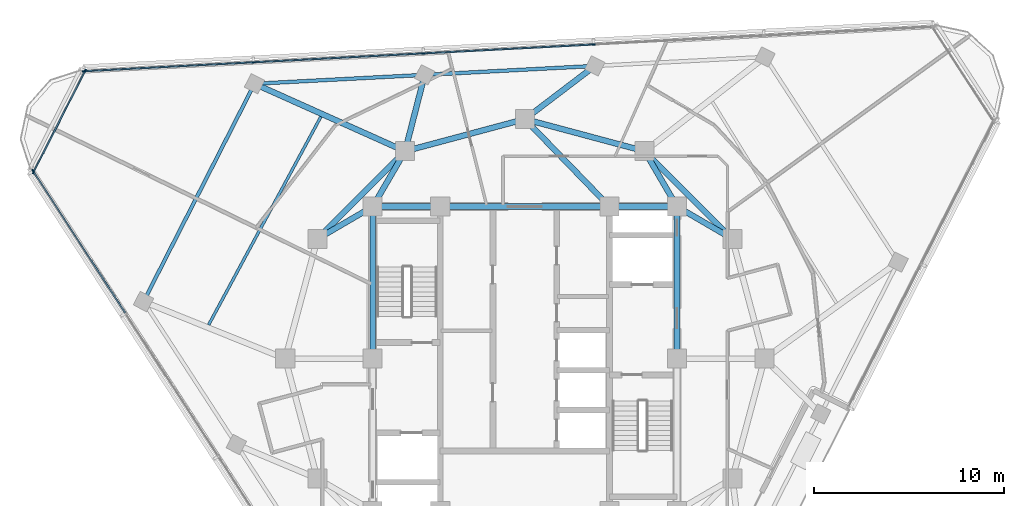
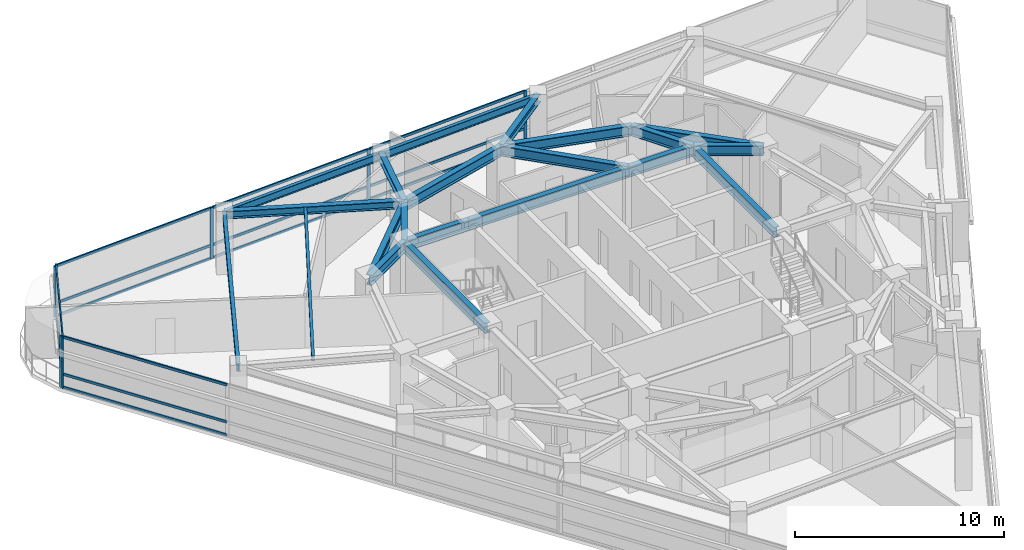
# One storey, part 5 of 15: 22 members, 21 beams, 3 elements without a shape of their own.
"""IFC4 building model written with IfcOpenShell, lengths in metres."""

from ifc_helpers import new_model, si_unit, direction, frame, origin, origin_2d, place, context, subcontext, project, spatial, rectangle, i_section, extrude, material, layer, layer_set, material_profile, profile_set, type_object, element, aggregate, save


model = new_model("IFC4")

# Units and contexts
model_context = context("Model", 3, precision=1e-05, world=origin(), true_north=direction((0.0, 1.0)))
body_context = subcontext(model_context, "Body", "Model", "MODEL_VIEW")
ifc_project = project(units=[si_unit("LENGTHUNIT", "METRE"), si_unit("AREAUNIT", "SQUARE_METRE"), si_unit("VOLUMEUNIT", "CUBIC_METRE"), si_unit("PLANEANGLEUNIT", "RADIAN"), si_unit("MASSUNIT", "GRAM", prefix="KILO")], contexts=[model_context])

# Site, building, storey
site_placement = place(None, origin())
site = spatial("IfcSite", under=ifc_project, at=site_placement, CompositionType="ELEMENT")
building_placement = place(site_placement, origin())
building = spatial("IfcBuilding", under=site, at=building_placement, Name="Terralouvre Media Tower", CompositionType="ELEMENT")
storey_placement = place(building_placement, frame((0.0, 0.0, 252.199951171875)))
storey = spatial("IfcBuildingStorey", under=building, at=storey_placement, Name="L65", CompositionType="ELEMENT", Elevation=252.199951171875)

# Beam
ifc_material_1 = material(Name="Structural steel S355J2", Category="steel")
ifc_material_profile_1 = material_profile(ifc_material_1, i_section(OverallWidth=0.14990234375, OverallDepth=0.300048828125, WebThickness=0.007080078125, FlangeThickness=0.0107421875, at=origin_2d()), Name="IPE 300")
ifc_profile_set_1 = profile_set([ifc_material_profile_1], Name="Structural steel S355J2")
beam_type_1 = type_object("IfcBeamType", Name="Composite Floor Joist J-IPE300 (IPE 300)", PredefinedType="JOIST", material=ifc_profile_set_1)
beam_1_placement = place(storey_placement, frame((-10.72509765625, 12.73046875, 3.35009765625), z_axis=(-0.47463118451, -0.880184775312, 0.0), x_axis=(0.880184775312, -0.47463118451, 0.0)))
element("IfcBeam", 1, at=beam_1_placement, inside=storey, type_object=beam_type_1, Name="L65 Framing Beam JT-L65-05", PredefinedType="JOIST", context=body_context, shape_type="SweptSolid", body=[
    extrude(i_section(OverallWidth=0.14990234375, OverallDepth=0.300048828125, WebThickness=0.007080078125, FlangeThickness=0.0107421875, at=origin_2d()), origin(), (0.0, 0.0, 1.0), 12.437255859375),
])

# Curtain wall, members
ifc_material_2 = material(Name="Low-iron laminated double glazing with solar-control coating", Category="glass")
ifc_layer_1 = layer(ifc_material_2, 0.1650390625, Name="Upper Executive Tower Curtain Wall CW-05")
ifc_layer_set_1 = layer_set([ifc_layer_1], Name="Low-iron laminated double glazing with solar-control coating")
curtain_wall_type_1 = type_object("IfcCurtainWallType", Name="Upper Executive Tower Curtain Wall CW-05", PredefinedType="NOTDEFINED", material=ifc_layer_set_1)
curtain_wall_1_placement = place(storey_placement, origin())
curtain_wall_1 = element("IfcCurtainWall", 2, at=curtain_wall_1_placement, inside=storey, type_object=curtain_wall_type_1, Name="L65 Facade Curtain Wall F1", PredefinedType="NOTDEFINED")
ifc_material_3 = material(Name="Anodised extruded aluminium 6063-T6", Category="aluminium")
ifc_material_profile_2 = material_profile(ifc_material_3, rectangle(XDim=0.074951171875, YDim=0.14990234375, at=origin_2d()), Name="ALU 75x150")
ifc_profile_set_2 = profile_set([ifc_material_profile_2], Name="Anodised extruded aluminium 6063-T6")
member_type_1 = type_object("IfcMemberType", Name="Curtain-Wall Horizontal Transom TR-150", PredefinedType="USERDEFINED", material=ifc_profile_set_2)
member_1_placement = place(storey_placement, frame((3.582763671875, 16.522705078125, 0.03759765625), z_axis=(-0.998630476572, -0.052317982208, 0.0), x_axis=(0.052317982208, -0.998630476572, 0.0)))
member_1 = element("IfcMember", 3, at=member_1_placement, type_object=member_type_1, Name="CW-05 transom 3.1", ObjectType="TRANSOM", PredefinedType="USERDEFINED", context=body_context, shape_type="SweptSolid", body=[
    extrude(rectangle(XDim=0.074951171875, YDim=0.14990234375, at=origin_2d()), origin(), (0.0, 0.0, 1.0), 8.885009765625),
])
member_2_placement = place(storey_placement, frame((3.582763671875, 16.522705078125, 0.800048828125), z_axis=(-0.998630476572, -0.052317982208, 0.0), x_axis=(0.052317982208, -0.998630476572, 0.0)))
member_2 = element("IfcMember", 4, at=member_2_placement, type_object=member_type_1, Name="CW-05 transom 3.2", ObjectType="TRANSOM", PredefinedType="USERDEFINED", context=body_context, shape_type="SweptSolid", body=[
    extrude(rectangle(XDim=0.074951171875, YDim=0.14990234375, at=origin_2d()), origin(), (0.0, 0.0, 1.0), 8.885009765625),
])
member_3_placement = place(storey_placement, frame((3.582763671875, 16.522705078125, 2.962646484375), z_axis=(-0.998630476572, -0.052317982208, 0.0), x_axis=(0.052317982208, -0.998630476572, 0.0)))
member_3 = element("IfcMember", 5, at=member_3_placement, type_object=member_type_1, Name="CW-05 transom 3.3", ObjectType="TRANSOM", PredefinedType="USERDEFINED", context=body_context, shape_type="SweptSolid", body=[
    extrude(rectangle(XDim=0.074951171875, YDim=0.14990234375, at=origin_2d()), origin(), (0.0, 0.0, 1.0), 8.885009765625),
])
member_4_placement = place(storey_placement, frame((-5.364990234375, 16.053955078125, 0.03759765625), z_axis=(-0.998629040577, -0.052345384869, 0.0), x_axis=(0.052345384869, -0.998629040577, 0.0)))
member_4 = element("IfcMember", 6, at=member_4_placement, type_object=member_type_1, Name="CW-05 transom 4.1", ObjectType="TRANSOM", PredefinedType="USERDEFINED", context=body_context, shape_type="SweptSolid", body=[
    extrude(rectangle(XDim=0.074951171875, YDim=0.14990234375, at=origin_2d()), origin(), (0.0, 0.0, 1.0), 8.885009765625),
])
member_5_placement = place(storey_placement, frame((-5.364990234375, 16.053955078125, 0.800048828125), z_axis=(-0.998629040577, -0.052345384869, 0.0), x_axis=(0.052345384869, -0.998629040577, 0.0)))
member_5 = element("IfcMember", 7, at=member_5_placement, type_object=member_type_1, Name="CW-05 transom 4.2", ObjectType="TRANSOM", PredefinedType="USERDEFINED", context=body_context, shape_type="SweptSolid", body=[
    extrude(rectangle(XDim=0.074951171875, YDim=0.14990234375, at=origin_2d()), origin(), (0.0, 0.0, 1.0), 8.885009765625),
])
member_6_placement = place(storey_placement, frame((-5.364990234375, 16.053955078125, 2.962646484375), z_axis=(-0.998629040577, -0.052345384869, 0.0), x_axis=(0.052345384869, -0.998629040577, 0.0)))
member_6 = element("IfcMember", 8, at=member_6_placement, type_object=member_type_1, Name="CW-05 transom 4.3", ObjectType="TRANSOM", PredefinedType="USERDEFINED", context=body_context, shape_type="SweptSolid", body=[
    extrude(rectangle(XDim=0.074951171875, YDim=0.14990234375, at=origin_2d()), origin(), (0.0, 0.0, 1.0), 8.885009765625),
])
member_7_placement = place(storey_placement, frame((-14.312744140625, 15.5849609375, 0.03759765625), z_axis=(-0.99862901196, -0.052345930801, 0.0), x_axis=(0.052345930801, -0.99862901196, 0.0)))
member_7 = element("IfcMember", 9, at=member_7_placement, type_object=member_type_1, Name="CW-05 transom 5.1", ObjectType="TRANSOM", PredefinedType="USERDEFINED", context=body_context, shape_type="SweptSolid", body=[
    extrude(rectangle(XDim=0.074951171875, YDim=0.14990234375, at=origin_2d()), origin(), (0.0, 0.0, 1.0), 8.84765625),
])
member_8_placement = place(storey_placement, frame((-14.312744140625, 15.5849609375, 0.800048828125), z_axis=(-0.99862901196, -0.052345930801, 0.0), x_axis=(0.052345930801, -0.99862901196, 0.0)))
member_8 = element("IfcMember", 10, at=member_8_placement, type_object=member_type_1, Name="CW-05 transom 5.2", ObjectType="TRANSOM", PredefinedType="USERDEFINED", context=body_context, shape_type="SweptSolid", body=[
    extrude(rectangle(XDim=0.074951171875, YDim=0.14990234375, at=origin_2d()), origin(), (0.0, 0.0, 1.0), 8.84765625),
])
member_9_placement = place(storey_placement, frame((-14.312744140625, 15.5849609375, 2.962646484375), z_axis=(-0.99862901196, -0.052345930801, 0.0), x_axis=(0.052345930801, -0.99862901196, 0.0)))
member_9 = element("IfcMember", 11, at=member_9_placement, type_object=member_type_1, Name="CW-05 transom 5.3", ObjectType="TRANSOM", PredefinedType="USERDEFINED", context=body_context, shape_type="SweptSolid", body=[
    extrude(rectangle(XDim=0.074951171875, YDim=0.14990234375, at=origin_2d()), origin(), (0.0, 0.0, 1.0), 8.84765625),
])

curtain_wall_2_placement = place(storey_placement, origin())
curtain_wall_2 = element("IfcCurtainWall", 12, at=curtain_wall_2_placement, inside=storey, type_object=curtain_wall_type_1, Name="L65 Facade Curtain Wall F2", PredefinedType="NOTDEFINED")
member_10_placement = place(storey_placement, frame((-25.840087890625, 9.8388671875, 0.03759765625), z_axis=(0.5446498072, -0.838663572308, 0.0), x_axis=(0.838663572308, 0.5446498072, 0.0)))
member_10 = element("IfcMember", 13, at=member_10_placement, type_object=member_type_1, Name="CW-05 transom 1.1", ObjectType="TRANSOM", PredefinedType="USERDEFINED", context=body_context, shape_type="SweptSolid", body=[
    extrude(rectangle(XDim=0.074951171875, YDim=0.14990234375, at=origin_2d()), origin(), (0.0, 0.0, 1.0), 8.84765625),
])
member_11_placement = place(storey_placement, frame((-25.840087890625, 9.8388671875, 0.800048828125), z_axis=(0.5446498072, -0.838663572308, 0.0), x_axis=(0.838663572308, 0.5446498072, 0.0)))
member_11 = element("IfcMember", 14, at=member_11_placement, type_object=member_type_1, Name="CW-05 transom 1.2", ObjectType="TRANSOM", PredefinedType="USERDEFINED", context=body_context, shape_type="SweptSolid", body=[
    extrude(rectangle(XDim=0.074951171875, YDim=0.14990234375, at=origin_2d()), origin(), (0.0, 0.0, 1.0), 8.84765625),
])
member_12_placement = place(storey_placement, frame((-25.840087890625, 9.8388671875, 2.962646484375), z_axis=(0.5446498072, -0.838663572308, 0.0), x_axis=(0.838663572308, 0.5446498072, 0.0)))
member_12 = element("IfcMember", 15, at=member_12_placement, type_object=member_type_1, Name="CW-05 transom 1.3", ObjectType="TRANSOM", PredefinedType="USERDEFINED", context=body_context, shape_type="SweptSolid", body=[
    extrude(rectangle(XDim=0.074951171875, YDim=0.14990234375, at=origin_2d()), origin(), (0.0, 0.0, 1.0), 8.84765625),
])

ifc_material_4 = material(Name="Low-iron laminated double glazing with solar-control coating", Category="glass")
ifc_layer_2 = layer(ifc_material_4, 0.1650390625, Name="Rounded Wind-Corner Curved Glazing CW-04")
ifc_layer_set_2 = layer_set([ifc_layer_2], Name="Low-iron laminated double glazing with solar-control coating")
curtain_wall_type_2 = type_object("IfcCurtainWallType", Name="Rounded Wind-Corner Curved Glazing CW-04", PredefinedType="NOTDEFINED", material=ifc_layer_set_2)
curtain_wall_3_placement = place(storey_placement, origin())
curtain_wall_3 = element("IfcCurtainWall", 16, at=curtain_wall_3_placement, inside=storey, type_object=curtain_wall_type_2, Name="L65 Rounded Wind-Corner Curtain Wall C2", PredefinedType="NOTDEFINED")
member_13_placement = place(storey_placement, frame((-23.138671875, 15.107421875, 0.03759765625), z_axis=(-0.453989495794, -0.891007035724, 0.0), x_axis=(0.891007035724, -0.453989495794, 0.0)))
member_13 = element("IfcMember", 17, at=member_13_placement, type_object=member_type_1, Name="CW-04 transom 1.1", ObjectType="TRANSOM", PredefinedType="USERDEFINED", context=body_context, shape_type="SweptSolid", body=[
    extrude(rectangle(XDim=0.074951171875, YDim=0.14990234375, at=origin_2d()), origin(), (0.0, 0.0, 1.0), 5.912109375),
])
member_14_placement = place(storey_placement, frame((-23.138671875, 15.107421875, 0.800048828125), z_axis=(-0.453989495794, -0.891007035724, 0.0), x_axis=(0.891007035724, -0.453989495794, 0.0)))
member_14 = element("IfcMember", 18, at=member_14_placement, type_object=member_type_1, Name="CW-04 transom 1.2", ObjectType="TRANSOM", PredefinedType="USERDEFINED", context=body_context, shape_type="SweptSolid", body=[
    extrude(rectangle(XDim=0.074951171875, YDim=0.14990234375, at=origin_2d()), origin(), (0.0, 0.0, 1.0), 5.912109375),
])
member_15_placement = place(storey_placement, frame((-23.138671875, 15.107421875, 2.962646484375), z_axis=(-0.453989495794, -0.891007035724, 0.0), x_axis=(0.891007035724, -0.453989495794, 0.0)))
member_15 = element("IfcMember", 19, at=member_15_placement, type_object=member_type_1, Name="CW-04 transom 1.3", ObjectType="TRANSOM", PredefinedType="USERDEFINED", context=body_context, shape_type="SweptSolid", body=[
    extrude(rectangle(XDim=0.074951171875, YDim=0.14990234375, at=origin_2d()), origin(), (0.0, 0.0, 1.0), 5.912109375),
])

# Member
ifc_material_5 = material(Name="Anodised extruded aluminium 6063-T6", Category="aluminium")
ifc_material_profile_3 = material_profile(ifc_material_5, rectangle(XDim=0.074951171875, YDim=0.179931640625, at=origin_2d()), Name="ALU 75x180")
ifc_profile_set_3 = profile_set([ifc_material_profile_3], Name="Anodised extruded aluminium 6063-T6")
member_type_2 = type_object("IfcMemberType", Name="Curtain-Wall Vertical Mullion ML-180", PredefinedType="MULLION", material=ifc_profile_set_3)
member_16_placement = place(storey_placement, frame((3.6201171875, 16.524658203125, 0.0), z_axis=(0.0, 0.0, 1.0), x_axis=(0.052336163844, -0.998629523875, 0.0)))
member_16 = element("IfcMember", 20, at=member_16_placement, type_object=member_type_2, Name="CW-05 mullion 3", PredefinedType="MULLION", context=body_context, shape_type="SweptSolid", body=[
    extrude(rectangle(XDim=0.074951171875, YDim=0.179931640625, at=origin_2d()), origin(), (0.0, 0.0, 1.0), 3.0),
])

member_17_placement = place(storey_placement, frame((-5.32763671875, 16.055908203125, 0.0), z_axis=(0.0, 0.0, 1.0), x_axis=(0.052336163844, -0.998629523875, 0.0)))
member_17 = element("IfcMember", 21, at=member_17_placement, type_object=member_type_2, Name="CW-05 mullion 4", PredefinedType="MULLION", context=body_context, shape_type="SweptSolid", body=[
    extrude(rectangle(XDim=0.074951171875, YDim=0.179931640625, at=origin_2d()), origin(), (0.0, 0.0, 1.0), 3.0),
])

member_18_placement = place(storey_placement, frame((-14.275390625, 15.5869140625, 0.0), z_axis=(0.0, 0.0, 1.0), x_axis=(0.052336163844, -0.998629523875, 0.0)))
member_18 = element("IfcMember", 22, at=member_18_placement, type_object=member_type_2, Name="CW-05 mullion 5", PredefinedType="MULLION", context=body_context, shape_type="SweptSolid", body=[
    extrude(rectangle(XDim=0.074951171875, YDim=0.179931640625, at=origin_2d()), origin(), (0.0, 0.0, 1.0), 3.0),
])

member_19_placement = place(storey_placement, frame((-23.185546875, 15.119873046875, 0.0), z_axis=(0.0, 0.0, 1.0), x_axis=(0.052336163844, -0.998629523875, 0.0)))
member_19 = element("IfcMember", 23, at=member_19_placement, type_object=member_type_2, Name="CW-05 mullion 6", PredefinedType="MULLION", context=body_context, shape_type="SweptSolid", body=[
    extrude(rectangle(XDim=0.074951171875, YDim=0.179931640625, at=origin_2d()), origin(), (0.0, 0.0, 1.0), 3.0),
])

aggregate(curtain_wall_1, [member_16, member_17, member_18, member_19, member_1, member_2, member_3, member_4, member_5, member_6, member_7, member_8, member_9])

member_20_placement = place(storey_placement, frame((-25.8603515625, 9.870361328125, 0.0), z_axis=(0.0, 0.0, 1.0), x_axis=(0.838670545826, 0.544639069077, 0.0)))
member_20 = element("IfcMember", 24, at=member_20_placement, type_object=member_type_2, Name="CW-05 mullion 1", PredefinedType="MULLION", context=body_context, shape_type="SweptSolid", body=[
    extrude(rectangle(XDim=0.074951171875, YDim=0.179931640625, at=origin_2d()), origin(), (0.0, 0.0, 1.0), 3.0),
])

aggregate(curtain_wall_2, [member_20, member_10, member_11, member_12])

member_21_placement = place(storey_placement, frame((-23.12158203125, 15.140869140625, 0.0), z_axis=(0.0, 0.0, 1.0), x_axis=(0.891006600517, -0.453990349937, 0.0)))
member_21 = element("IfcMember", 25, at=member_21_placement, type_object=member_type_2, Name="CW-04 mullion 1", PredefinedType="MULLION", context=body_context, shape_type="SweptSolid", body=[
    extrude(rectangle(XDim=0.074951171875, YDim=0.179931640625, at=origin_2d()), origin(), (0.0, 0.0, 1.0), 3.0),
])

member_22_placement = place(storey_placement, frame((-25.83984375, 9.80615234375, 0.0), z_axis=(0.0, 0.0, 1.0), x_axis=(0.891006600517, -0.453990349937, 0.0)))
member_22 = element("IfcMember", 26, at=member_22_placement, type_object=member_type_2, Name="CW-04 mullion 2", PredefinedType="MULLION", context=body_context, shape_type="SweptSolid", body=[
    extrude(rectangle(XDim=0.074951171875, YDim=0.179931640625, at=origin_2d()), origin(), (0.0, 0.0, 1.0), 3.0),
])

aggregate(curtain_wall_3, [member_21, member_22, member_13, member_14, member_15])

# Beams
ifc_material_6 = material(Name="Structural steel S355J2", Category="steel")
ifc_material_profile_4 = material_profile(ifc_material_6, i_section(OverallWidth=0.18994140625, OverallDepth=0.449951171875, WebThickness=0.009521484375, FlangeThickness=0.0146484375, at=origin_2d()), Name="IPE 450")
ifc_profile_set_4 = profile_set([ifc_material_profile_4], Name="Structural steel S355J2")
beam_type_2 = type_object("IfcBeamType", Name="Perimeter Spandrel Beam SPB-450 (IPE 450)", PredefinedType="SPANDREL", material=ifc_profile_set_4)
for number, where, z_axis, x_axis, name in (
    (27, (3.67919921875, 15.396240234375, 3.275146484375), (-0.998630595649, -0.05231570924, 0.0), (0.05231570924, -0.998630595649, 0.0), "L65 Framing Beam BM-L65-PR09"),
    (28, (-5.2685546875, 14.927490234375, 3.275146484375), (-0.998629171747, -0.052342882372, 0.0), (0.052342882372, -0.998629171747, 0.0), "L65 Framing Beam BM-L65-PR10"),
):
    element("IfcBeam", number, at=place(storey_placement, frame(where, z_axis=z_axis, x_axis=x_axis)), inside=storey, type_object=beam_type_2, Name=name, PredefinedType="SPANDREL", context=body_context, shape_type="SweptSolid", body=[
        extrude(i_section(OverallWidth=0.18994140625, OverallDepth=0.449951171875, WebThickness=0.009521484375, FlangeThickness=0.0146484375, at=origin_2d()), origin(), (0.0, 0.0, 1.0), 8.9599609375),
    ])
beam_2_placement = place(storey_placement, frame((-14.21630859375, 14.45849609375, 3.275146484375), z_axis=(-0.453983525005, -0.891010077958, 0.0), x_axis=(0.891010077958, -0.453983525005, 0.0)))
element("IfcBeam", 29, at=beam_2_placement, inside=storey, type_object=beam_type_2, Name="L65 Framing Beam BM-L65-PR11", PredefinedType="SPANDREL", context=body_context, shape_type="SweptSolid", body=[
    extrude(i_section(OverallWidth=0.18994140625, OverallDepth=0.449951171875, WebThickness=0.009521484375, FlangeThickness=0.0146484375, at=origin_2d()), origin(), (0.0, 0.0, 1.0), 12.857177734375),
])
ifc_material_7 = material(Name="Structural steel S355J2", Category="steel")
ifc_material_profile_5 = material_profile(ifc_material_7, i_section(OverallWidth=0.300048828125, OverallDepth=0.449951171875, WebThickness=0.013916015625, FlangeThickness=0.02587890625, at=origin_2d()), Name="HEB 450")
ifc_profile_set_5 = profile_set([ifc_material_profile_5], Name="Structural steel S355J2")
beam_type_3 = type_object("IfcBeamType", Name="Primary Floor Girder B-HEB450 (HEB 450)", PredefinedType="BEAM", material=ifc_profile_set_5)
beam_3_placement = place(storey_placement, frame((0.0, 12.60009765625, 3.275146484375), z_axis=(0.796167284329, 0.605076569836, 0.0), x_axis=(-0.605076569836, 0.796167284329, 0.0)))
element("IfcBeam", 30, at=beam_3_placement, inside=storey, type_object=beam_type_3, Name="L65 Framing Beam BM-L65-RD09", PredefinedType="BEAM", context=body_context, shape_type="SweptSolid", body=[
    extrude(i_section(OverallWidth=0.300048828125, OverallDepth=0.449951171875, WebThickness=0.013916015625, FlangeThickness=0.02587890625, at=origin_2d()), origin(), (0.0, 0.0, 1.0), 4.62109375),
])
beam_4_placement = place(storey_placement, frame((-6.300048828125, 10.911865234375, 3.275146484375), z_axis=(0.248793268672, 0.968556611388, 0.0), x_axis=(-0.968556611388, 0.248793268672, 0.0)))
element("IfcBeam", 31, at=beam_4_placement, inside=storey, type_object=beam_type_3, Name="L65 Framing Beam BM-L65-RD10", PredefinedType="BEAM", context=body_context, shape_type="SweptSolid", body=[
    extrude(i_section(OverallWidth=0.300048828125, OverallDepth=0.449951171875, WebThickness=0.013916015625, FlangeThickness=0.02587890625, at=origin_2d()), origin(), (0.0, 0.0, 1.0), 4.14599609375),
])
beam_5_placement = place(storey_placement, frame((-6.300048828125, 10.911865234375, 3.275146484375), z_axis=(-0.912596970607, 0.408860329746, 0.0), x_axis=(-0.408860329746, -0.912596970607, 0.0)))
element("IfcBeam", 32, at=beam_5_placement, inside=storey, type_object=beam_type_3, Name="L65 Framing Beam BM-L65-RD11", PredefinedType="BEAM", context=body_context, shape_type="SweptSolid", body=[
    extrude(i_section(OverallWidth=0.300048828125, OverallDepth=0.449951171875, WebThickness=0.013916015625, FlangeThickness=0.02587890625, at=origin_2d()), origin(), (0.0, 0.0, 1.0), 8.67431640625),
])
ifc_material_8 = material(Name="Structural steel S460M", Category="steel")
ifc_material_profile_6 = material_profile(ifc_material_8, i_section(OverallWidth=0.300048828125, OverallDepth=0.60009765625, WebThickness=0.015380859375, FlangeThickness=0.030029296875, at=origin_2d()), Name="HEB 600")
ifc_profile_set_6 = profile_set([ifc_material_profile_6], Name="Structural steel S460M")
beam_type_4 = type_object("IfcBeamType", Name="Primary Floor Girder B-HEB600 (HEB 600)", PredefinedType="BEAM", material=ifc_profile_set_6)
beam_6_placement = place(storey_placement, frame((8.0, 0.0, 3.199951171875), z_axis=(0.0, 1.0, 0.0), x_axis=(-1.0, 0.0, 0.0)))
element("IfcBeam", 33, at=beam_6_placement, inside=storey, type_object=beam_type_4, Name="L65 Framing Beam BM-L65-CPR05", PredefinedType="BEAM", context=body_context, shape_type="SweptSolid", body=[
    extrude(i_section(OverallWidth=0.300048828125, OverallDepth=0.60009765625, WebThickness=0.015380859375, FlangeThickness=0.030029296875, at=origin_2d()), origin(), (0.0, 0.0, 1.0), 8.0),
])
beam_7_placement = place(storey_placement, frame((8.0, 8.0, 3.199951171875), z_axis=(-1.0, 0.0, 0.0), x_axis=(0.0, -1.0, 0.0)))
element("IfcBeam", 34, at=beam_7_placement, inside=storey, type_object=beam_type_4, Name="L65 Framing Beam BM-L65-CPR06", PredefinedType="BEAM", context=body_context, shape_type="SweptSolid", body=[
    extrude(i_section(OverallWidth=0.300048828125, OverallDepth=0.60009765625, WebThickness=0.015380859375, FlangeThickness=0.030029296875, at=origin_2d()), origin(), (0.0, 0.0, 1.0), 3.550048828125),
])
beam_8_placement = place(storey_placement, frame((4.449951171875, 8.0, 3.199951171875), z_axis=(-1.0, 0.0, 0.0), x_axis=(0.0, -1.0, 0.0)))
element("IfcBeam", 35, at=beam_8_placement, inside=storey, type_object=beam_type_4, Name="L65 Framing Beam BM-L65-CPR07", PredefinedType="BEAM", context=body_context, shape_type="SweptSolid", body=[
    extrude(i_section(OverallWidth=0.300048828125, OverallDepth=0.60009765625, WebThickness=0.015380859375, FlangeThickness=0.030029296875, at=origin_2d()), origin(), (0.0, 0.0, 1.0), 8.89990234375),
])
beam_9_placement = place(storey_placement, frame((-4.449951171875, 8.0, 3.199951171875), z_axis=(-1.0, 0.0, 0.0), x_axis=(0.0, -1.0, 0.0)))
element("IfcBeam", 36, at=beam_9_placement, inside=storey, type_object=beam_type_4, Name="L65 Framing Beam BM-L65-CPR08", PredefinedType="BEAM", context=body_context, shape_type="SweptSolid", body=[
    extrude(i_section(OverallWidth=0.300048828125, OverallDepth=0.60009765625, WebThickness=0.015380859375, FlangeThickness=0.030029296875, at=origin_2d()), origin(), (0.0, 0.0, 1.0), 3.550048828125),
])
beam_10_placement = place(storey_placement, frame((-8.0, 8.0, 3.199951171875), z_axis=(0.0, -1.0, 0.0), x_axis=(1.0, 0.0, 0.0)))
element("IfcBeam", 37, at=beam_10_placement, inside=storey, type_object=beam_type_4, Name="L65 Framing Beam BM-L65-CPR09", PredefinedType="BEAM", context=body_context, shape_type="SweptSolid", body=[
    extrude(i_section(OverallWidth=0.300048828125, OverallDepth=0.60009765625, WebThickness=0.015380859375, FlangeThickness=0.030029296875, at=origin_2d()), origin(), (0.0, 0.0, 1.0), 8.0),
])
beam_11_placement = place(storey_placement, frame((10.911865234375, 6.300048828125, 3.199951171875), z_axis=(-0.707106781187, 0.707106781187, 0.0), x_axis=(-0.707106781187, -0.707106781187, 0.0)))
element("IfcBeam", 38, at=beam_11_placement, inside=storey, type_object=beam_type_4, Name="L65 Framing Beam BM-L65-MR07", PredefinedType="BEAM", context=body_context, shape_type="SweptSolid", body=[
    extrude(i_section(OverallWidth=0.300048828125, OverallDepth=0.60009765625, WebThickness=0.015380859375, FlangeThickness=0.030029296875, at=origin_2d()), origin(), (0.0, 0.0, 1.0), 6.52197265625),
])
for number, where, z_axis, x_axis, name in (
    (39, (6.300048828125, 10.911865234375, 3.199951171875), (-0.965920481897, 0.258838989821, 0.0), (-0.258838989821, -0.965920481897, 0.0), "L65 Framing Beam BM-L65-MR08"),
    (40, (0.0, 12.60009765625, 3.199951171875), (-0.965920481897, -0.258838989821, 0.0), (0.258838989821, -0.965920481897, 0.0), "L65 Framing Beam BM-L65-MR09"),
):
    element("IfcBeam", number, at=place(storey_placement, frame(where, z_axis=z_axis, x_axis=x_axis)), inside=storey, type_object=beam_type_4, Name=name, PredefinedType="BEAM", context=body_context, shape_type="SweptSolid", body=[
        extrude(i_section(OverallWidth=0.300048828125, OverallDepth=0.60009765625, WebThickness=0.015380859375, FlangeThickness=0.030029296875, at=origin_2d()), origin(), (0.0, 0.0, 1.0), 6.522216796875),
    ])
beam_12_placement = place(storey_placement, frame((-6.300048828125, 10.911865234375, 3.199951171875), z_axis=(-0.707106781187, -0.707106781187, 0.0), x_axis=(0.707106781187, -0.707106781187, 0.0)))
element("IfcBeam", 41, at=beam_12_placement, inside=storey, type_object=beam_type_4, Name="L65 Framing Beam BM-L65-MR10", PredefinedType="BEAM", context=body_context, shape_type="SweptSolid", body=[
    extrude(i_section(OverallWidth=0.300048828125, OverallDepth=0.60009765625, WebThickness=0.015380859375, FlangeThickness=0.030029296875, at=origin_2d()), origin(), (0.0, 0.0, 1.0), 6.52197265625),
])
for number, where, z_axis, x_axis, name in (
    (42, (8.0, 8.0, 3.199951171875), (0.863602894532, -0.504172629717, 0.0), (0.504172629717, 0.863602894532, 0.0), "L65 Framing Beam BM-L65-CM07"),
    (43, (8.0, 8.0, 3.199951171875), (-0.504172629717, 0.863602894532, 0.0), (-0.863602894532, -0.504172629717, 0.0), "L65 Framing Beam BM-L65-CM08"),
):
    element("IfcBeam", number, at=place(storey_placement, frame(where, z_axis=z_axis, x_axis=x_axis)), inside=storey, type_object=beam_type_4, Name=name, PredefinedType="BEAM", context=body_context, shape_type="SweptSolid", body=[
        extrude(i_section(OverallWidth=0.300048828125, OverallDepth=0.60009765625, WebThickness=0.015380859375, FlangeThickness=0.030029296875, at=origin_2d()), origin(), (0.0, 0.0, 1.0), 3.371826171875),
    ])
beam_13_placement = place(storey_placement, frame((4.449951171875, 8.0, 3.199951171875), z_axis=(-0.695279715726, 0.718739255155, 0.0), x_axis=(-0.718739255155, -0.695279715726, 0.0)))
element("IfcBeam", 44, at=beam_13_placement, inside=storey, type_object=beam_type_4, Name="L65 Framing Beam BM-L65-CM09", PredefinedType="BEAM", context=body_context, shape_type="SweptSolid", body=[
    extrude(i_section(OverallWidth=0.300048828125, OverallDepth=0.60009765625, WebThickness=0.015380859375, FlangeThickness=0.030029296875, at=origin_2d()), origin(), (0.0, 0.0, 1.0), 6.400146484375),
])
for number, where, z_axis, x_axis, name in (
    (45, (-8.0, 8.0, 3.199951171875), (0.504172629717, 0.863602894532, 0.0), (-0.863602894532, 0.504172629717, 0.0), "L65 Framing Beam BM-L65-CM10"),
    (46, (-8.0, 8.0, 3.199951171875), (-0.863602894532, -0.504172629717, 0.0), (0.504172629717, -0.863602894532, 0.0), "L65 Framing Beam BM-L65-CM11"),
):
    element("IfcBeam", number, at=place(storey_placement, frame(where, z_axis=z_axis, x_axis=x_axis)), inside=storey, type_object=beam_type_4, Name=name, PredefinedType="BEAM", context=body_context, shape_type="SweptSolid", body=[
        extrude(i_section(OverallWidth=0.300048828125, OverallDepth=0.60009765625, WebThickness=0.015380859375, FlangeThickness=0.030029296875, at=origin_2d()), origin(), (0.0, 0.0, 1.0), 3.371826171875),
    ])

save(model, "model.ifc")
